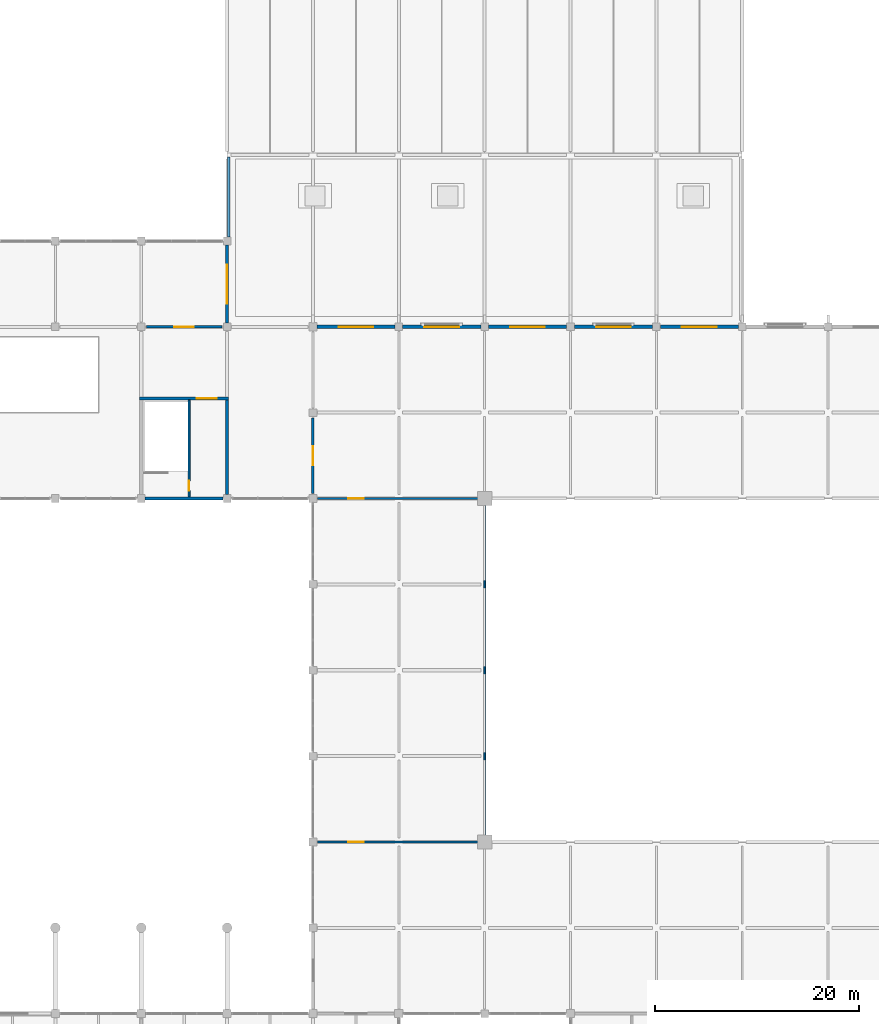
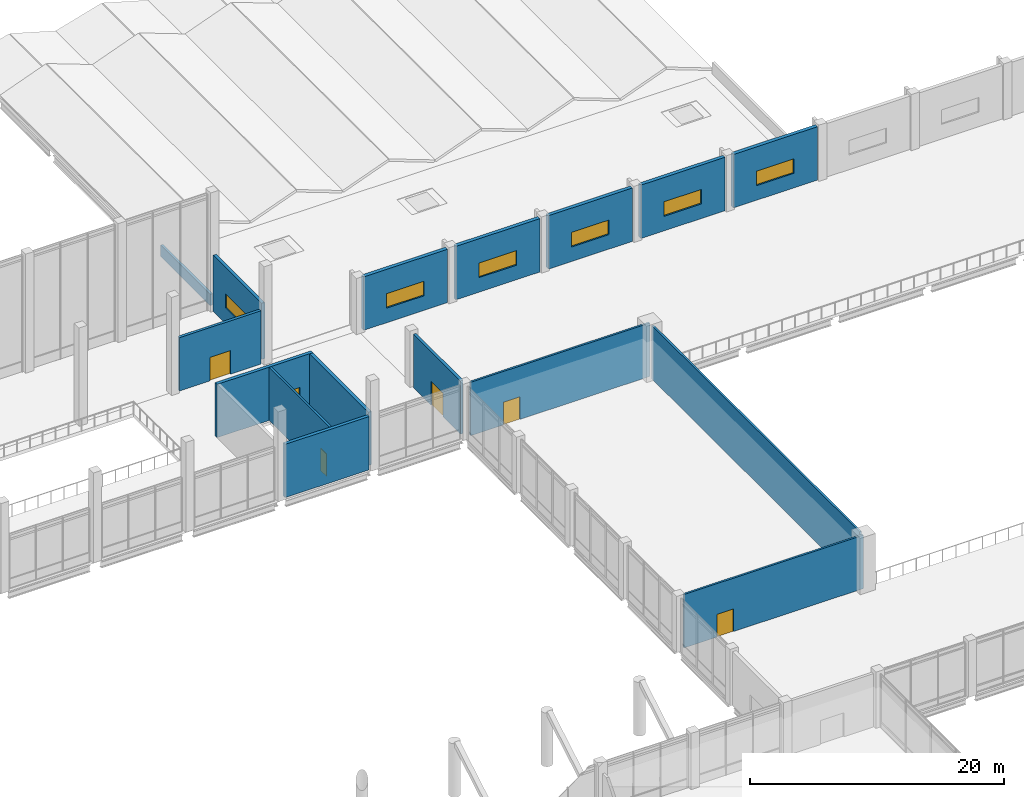
# One storey, part 59 of 72: 16 walls, 6 doors, 6 windows, 12 openings.
"""IFC4 building model written with IfcOpenShell, lengths in metres."""

from ifc_helpers import new_model, si_unit, direction, frame, frame_2d, origin, place, context, subcontext, project, spatial, rectangle, extrude, material, layer, layer_set, type_object, element, fill, save


model = new_model("IFC4")

# Units and contexts
model_context = context("Model", 3, precision=1e-05, world=origin(), true_north=direction((0.0, 1.0)))
body_context = subcontext(model_context, "Body", "Model", "MODEL_VIEW")
ifc_project = project(units=[si_unit("LENGTHUNIT", "METRE"), si_unit("AREAUNIT", "SQUARE_METRE"), si_unit("VOLUMEUNIT", "CUBIC_METRE"), si_unit("PLANEANGLEUNIT", "RADIAN"), si_unit("MASSUNIT", "GRAM", prefix="KILO")], contexts=[model_context])

# Site, building, storey
site_placement = place(None, origin())
site = spatial("IfcSite", under=ifc_project, at=site_placement, CompositionType="ELEMENT")
building_placement = place(site_placement, origin())
building = spatial("IfcBuilding", under=site, at=building_placement, Name="Qawsi Khor Wholesale Market", CompositionType="ELEMENT")
storey_placement = place(building_placement, frame((0.0, 0.0, 6.0)))
storey = spatial("IfcBuildingStorey", under=building, at=storey_placement, Name="L01", CompositionType="ELEMENT", Elevation=6.0)

# Wall, opening, window
ifc_material_1 = material(Name="Concrete C40/50", Category="concrete")
ifc_layer_1 = layer(ifc_material_1, 0.280029296875, Name="Concrete C40/50")
ifc_layer_set_1 = layer_set([ifc_layer_1], Name="Concrete C40/50")
wall_type_1 = type_object("IfcWallType", Name="Clerestory Spandrel Wall 280", PredefinedType="SOLIDWALL", material=ifc_layer_set_1)
wall_1_placement = place(storey_placement, frame((134.39990234375, 117.219970703125, 0.0), z_axis=(0.0, 0.0, 1.0), x_axis=(0.0, -1.0, 0.0)))
wall_1 = element("IfcWall", 1, at=wall_1_placement, inside=storey, type_object=wall_type_1, Name="EW-L01-AUCE", PredefinedType="SOLIDWALL", context=body_context, shape_type="SweptSolid", body=[
    extrude(rectangle(XDim=7.639892578125, YDim=0.280029296875, at=frame_2d((3.81982421875, 0.0))), origin(), (0.0, 0.0, 1.0), 5.39990234375),
])
opening_1_placement = place(wall_1_placement, frame((1.93994140625, 0.0, 1.5)))
opening_1 = element("IfcOpeningElement", 2, at=opening_1_placement, cuts=wall_1, Name="Opening W-16", PredefinedType="OPENING", context=body_context, shape_type="SweptSolid", body=[
    extrude(rectangle(XDim=3.800048828125, YDim=1.35009765625, at=frame_2d((1.89990234375, 0.675048828125))), frame((0.0, 0.14990234375, 0.0), z_axis=(0.0, -1.0, 0.0), x_axis=(1.0, 0.0, 0.0)), (0.0, 0.0, 1.0), 0.300048828125),
])
ifc_material_2 = material(Name="Thermally Broken Aluminium & Low-E Glass", Category="aluminium")
window_type_1 = type_object("IfcWindowType", Name="Win W-16 Auction High Clerestory 3800x1350", PartitioningType="SINGLE_PANEL", PredefinedType="WINDOW", material=ifc_material_2)
window_1_placement = place(opening_1_placement, origin())
window_1 = element("IfcWindow", 3, at=window_1_placement, inside=storey, type_object=window_type_1, Name="Win W-16 Auction High Clerestory 3800x1350 206", OverallHeight=1.35009765625, OverallWidth=3.800048828125, PartitioningType="SINGLE_PANEL", PredefinedType="WINDOW", context=body_context, shape_type="SweptSolid", body=[
    extrude(rectangle(XDim=3.800048828125, YDim=1.35009765625, at=frame_2d((1.89990234375, 0.675048828125))), frame((0.0, 0.030029296875, 0.0), z_axis=(0.0, -1.0, 0.0), x_axis=(1.0, 0.0, 0.0)), (0.0, 0.0, 1.0), 0.06005859375),
])
fill(opening_1, window_1)

# Wall
ifc_layer_2 = layer(ifc_material_1, 0.300048828125, Name="Concrete C40/50")
ifc_layer_set_2 = layer_set([ifc_layer_2], Name="Concrete C40/50")
wall_type_2 = type_object("IfcWallType", Name="Core Shear Wall RC 300 C40/50", PredefinedType="SHEAR", material=ifc_layer_set_2)
wall_2_placement = place(storey_placement, frame((134.02001953125, 92.39990234375, 0.0), z_axis=(0.0, 0.0, 1.0), x_axis=(-1.0, 0.0, 0.0)))
element("IfcWall", 4, at=wall_2_placement, inside=storey, type_object=wall_type_2, Name="Core C10 south shear wall L01", PredefinedType="SHEAR", context=body_context, shape_type="SweptSolid", body=[
    extrude(rectangle(XDim=7.64013671875, YDim=0.300048828125, at=frame_2d((3.820068359375, 0.0))), origin(), (0.0, 0.0, 1.0), 5.1201171875),
])

# Wall, opening, door
wall_3_placement = place(storey_placement, frame((125.85009765625, 102.199951171875, 0.0), z_axis=(0.0, 0.0, 1.0), x_axis=(1.0, 0.0, 0.0)))
wall_3 = element("IfcWall", 5, at=wall_3_placement, inside=storey, type_object=wall_type_2, Name="Core C10 north shear wall L01", PredefinedType="SHEAR", context=body_context, shape_type="SweptSolid", body=[
    extrude(rectangle(XDim=8.699951171875, YDim=0.300048828125, at=frame_2d((4.35009765625, 0.0))), origin(), (0.0, 0.0, 1.0), 5.1201171875),
])
opening_2_placement = place(wall_3_placement, frame((5.570068359375, 0.0, 0.0)))
opening_2 = element("IfcOpeningElement", 6, at=opening_2_placement, cuts=wall_3, Name="Opening ID-01", PredefinedType="OPENING", context=body_context, shape_type="SweptSolid", body=[
    extrude(rectangle(XDim=1.9599609375, YDim=2.199951171875, at=frame_2d((0.97998046875, 1.10009765625))), frame((0.0, 0.159912109375, 0.0), z_axis=(0.0, -1.0, 0.0), x_axis=(1.0, 0.0, 0.0)), (0.0, 0.0, 1.0), 0.320068359375),
])
ifc_material_3 = material(Name="Steel Fire Door", Category="steel")
door_type_1 = type_object("IfcDoorType", Name="Stair & Core Fire Door 1960x2200 FD90S", OperationType="NOTDEFINED", PredefinedType="DOOR", material=ifc_material_3)
door_1_placement = place(opening_2_placement, origin())
door_1 = element("IfcDoor", 7, at=door_1_placement, inside=storey, type_object=door_type_1, Name="Core C10 fire door L01", OperationType="DOUBLE_DOOR_SINGLE_SWING", OverallHeight=2.199951171875, OverallWidth=1.9599609375, PredefinedType="DOOR", context=body_context, shape_type="SweptSolid", body=[
    extrude(rectangle(XDim=1.9599609375, YDim=2.199951171875, at=frame_2d((0.97998046875, 1.10009765625))), frame((0.0, 0.02490234375, 0.0), z_axis=(0.0, -1.0, 0.0), x_axis=(1.0, 0.0, 0.0)), (0.0, 0.0, 1.0), 0.050048828125),
])
fill(opening_2, door_1)

# Wall
wall_4_placement = place(storey_placement, frame((134.39990234375, 102.050048828125, 0.0), z_axis=(0.0, 0.0, 1.0), x_axis=(0.0, -1.0, 0.0)))
element("IfcWall", 8, at=wall_4_placement, inside=storey, type_object=wall_type_2, Name="Core C10 east shear wall L01", PredefinedType="SHEAR", context=body_context, shape_type="SweptSolid", body=[
    extrude(rectangle(XDim=9.27001953125, YDim=0.300048828125, at=frame_2d((4.635009765625, 0.0))), origin(), (0.0, 0.0, 1.0), 5.1201171875),
])

# Wall, opening, door
ifc_material_4 = material(Name="Concrete Blockwork & Plaster", Category="masonry")
ifc_layer_3 = layer(ifc_material_4, 0.25, Name="Concrete Blockwork & Plaster")
ifc_layer_set_3 = layer_set([ifc_layer_3], Name="Concrete Blockwork & Plaster")
wall_type_3 = type_object("IfcWallType", Name="Fire Compartment Masonry Wall 250", PredefinedType="SOLIDWALL", material=ifc_layer_set_3)
wall_5_placement = place(storey_placement, frame((142.800048828125, 92.89990234375, 0.0), z_axis=(0.0, 0.0, 1.0), x_axis=(0.0, 1.0, 0.0)))
wall_5 = element("IfcWall", 9, at=wall_5_placement, inside=storey, type_object=wall_type_3, Name="PW-L01-027", PredefinedType="SOLIDWALL", context=body_context, shape_type="SweptSolid", body=[
    extrude(rectangle(XDim=7.400146484375, YDim=0.25, at=frame_2d((3.7001953125, 0.0))), origin(), (0.0, 0.0, 1.0), 5.1201171875),
])
opening_3_placement = place(wall_5_placement, frame((2.75, 0.0, 0.0)))
opening_3 = element("IfcOpeningElement", 10, at=opening_3_placement, cuts=wall_5, Name="Opening ID-16", PredefinedType="OPENING", context=body_context, shape_type="SweptSolid", body=[
    extrude(rectangle(XDim=1.8798828125, YDim=2.260009765625, at=frame_2d((0.93994140625, 1.1298828125))), frame((0.0, 0.135009765625, 0.0), z_axis=(0.0, -1.0, 0.0), x_axis=(1.0, 0.0, 0.0)), (0.0, 0.0, 1.0), 0.27001953125),
])
ifc_material_5 = material(Name="Acoustic Timber Fire Door", Category="wood")
door_type_2 = type_object("IfcDoorType", Name="Auction Buyers Tier Double Door 1880x2260 FD60S", OperationType="NOTDEFINED", PredefinedType="DOOR", material=ifc_material_5)
door_2_placement = place(opening_3_placement, origin())
door_2 = element("IfcDoor", 11, at=door_2_placement, inside=storey, type_object=door_type_2, Name="Auction Buyers Tier Double Door 1880x2260 FD60S L01-022", OperationType="DOUBLE_DOOR_SINGLE_SWING", OverallHeight=2.260009765625, OverallWidth=1.8798828125, PredefinedType="DOOR", context=body_context, shape_type="SweptSolid", body=[
    extrude(rectangle(XDim=1.8798828125, YDim=2.260009765625, at=frame_2d((0.93994140625, 1.1298828125))), frame((0.0, 0.02490234375, 0.0), z_axis=(0.0, -1.0, 0.0), x_axis=(1.0, 0.0, 0.0)), (0.0, 0.0, 1.0), 0.050048828125),
])
fill(opening_3, door_2)

wall_6_placement = place(storey_placement, frame((126.5, 109.199951171875, 0.0), z_axis=(0.0, 0.0, 1.0), x_axis=(1.0, 0.0, 0.0)))
wall_6 = element("IfcWall", 12, at=wall_6_placement, inside=storey, type_object=wall_type_3, Name="PW-L01-028", PredefinedType="SOLIDWALL", context=body_context, shape_type="SweptSolid", body=[
    extrude(rectangle(XDim=7.39990234375, YDim=0.25, at=frame_2d((3.699951171875, 0.0))), origin(), (0.0, 0.0, 1.0), 5.1201171875),
])
opening_4_placement = place(wall_6_placement, frame((2.75, 0.0, 0.0)))
opening_4 = element("IfcOpeningElement", 13, at=opening_4_placement, cuts=wall_6, Name="Opening ID-16", PredefinedType="OPENING", context=body_context, shape_type="SweptSolid", body=[
    extrude(rectangle(XDim=1.8798828125, YDim=2.260009765625, at=frame_2d((0.93994140625, 1.1298828125))), frame((0.0, 0.135009765625, 0.0), z_axis=(0.0, -1.0, 0.0), x_axis=(1.0, 0.0, 0.0)), (0.0, 0.0, 1.0), 0.27001953125),
])
door_3_placement = place(opening_4_placement, origin())
door_3 = element("IfcDoor", 14, at=door_3_placement, inside=storey, type_object=door_type_2, Name="Auction Buyers Tier Double Door 1880x2260 FD60S L01-023", OperationType="DOUBLE_DOOR_SINGLE_SWING", OverallHeight=2.260009765625, OverallWidth=1.8798828125, PredefinedType="DOOR", context=body_context, shape_type="SweptSolid", body=[
    extrude(rectangle(XDim=1.8798828125, YDim=2.260009765625, at=frame_2d((0.93994140625, 1.1298828125))), frame((0.0, 0.02490234375, 0.0), z_axis=(0.0, -1.0, 0.0), x_axis=(1.0, 0.0, 0.0)), (0.0, 0.0, 1.0), 0.050048828125),
])
fill(opening_4, door_3)

# Wall, opening, window
ifc_layer_4 = layer(ifc_material_1, 0.330078125, Name="Concrete C40/50")
ifc_layer_set_4 = layer_set([ifc_layer_4], Name="Concrete C40/50")
wall_type_4 = type_object("IfcWallType", Name="Fish Hall Precast Insulated Wall 330", PredefinedType="SOLIDWALL", material=ifc_layer_set_4)
wall_7_placement = place(storey_placement, frame((143.205078125, 109.199951171875, 0.0), z_axis=(0.0, 0.0, 1.0), x_axis=(1.0, 0.0, 0.0)))
wall_7 = element("IfcWall", 15, at=wall_7_placement, inside=storey, type_object=wall_type_4, Name="EW-L01-EHN-17", PredefinedType="SOLIDWALL", context=body_context, shape_type="SweptSolid", body=[
    extrude(rectangle(XDim=7.614990234375, YDim=0.330078125, at=frame_2d((3.8076171875, 0.0))), origin(), (0.0, 0.0, 1.0), 5.1298828125),
])
opening_5_placement = place(wall_7_placement, frame((2.094970703125, 0.0, 1.39990234375)))
opening_5 = element("IfcOpeningElement", 16, at=opening_5_placement, cuts=wall_7, Name="Opening W-14", PredefinedType="OPENING", context=body_context, shape_type="SweptSolid", body=[
    extrude(rectangle(XDim=3.39990234375, YDim=1.39990234375, at=frame_2d((1.699951171875, 0.699951171875))), frame((0.0, 0.175048828125, 0.0), z_axis=(0.0, -1.0, 0.0), x_axis=(1.0, 0.0, 0.0)), (0.0, 0.0, 1.0), 0.35009765625),
])
window_type_2 = type_object("IfcWindowType", Name="Win W-14 Flower Hall North Light 3400x1400", PartitioningType="SINGLE_PANEL", PredefinedType="WINDOW", material=ifc_material_2)
window_2_placement = place(opening_5_placement, origin())
window_2 = element("IfcWindow", 17, at=window_2_placement, inside=storey, type_object=window_type_2, Name="Win W-14 Flower Hall North Light 3400x1400 192", OverallHeight=1.39990234375, OverallWidth=3.39990234375, PartitioningType="SINGLE_PANEL", PredefinedType="WINDOW", context=body_context, shape_type="SweptSolid", body=[
    extrude(rectangle(XDim=3.39990234375, YDim=1.39990234375, at=frame_2d((1.699951171875, 0.699951171875))), frame((0.0, 0.030029296875, 0.0), z_axis=(0.0, -1.0, 0.0), x_axis=(1.0, 0.0, 0.0)), (0.0, 0.0, 1.0), 0.06005859375),
])
fill(opening_5, window_2)

wall_8_placement = place(storey_placement, frame((151.580078125, 109.199951171875, 0.0), z_axis=(0.0, 0.0, 1.0), x_axis=(1.0, 0.0, 0.0)))
wall_8 = element("IfcWall", 18, at=wall_8_placement, inside=storey, type_object=wall_type_4, Name="EW-L01-EHN-18", PredefinedType="SOLIDWALL", context=body_context, shape_type="SweptSolid", body=[
    extrude(rectangle(XDim=7.639892578125, YDim=0.330078125, at=frame_2d((3.81982421875, 0.0))), origin(), (0.0, 0.0, 1.0), 5.1298828125),
])
opening_6_placement = place(wall_8_placement, frame((2.1201171875, 0.0, 1.39990234375)))
opening_6 = element("IfcOpeningElement", 19, at=opening_6_placement, cuts=wall_8, Name="Opening W-14", PredefinedType="OPENING", context=body_context, shape_type="SweptSolid", body=[
    extrude(rectangle(XDim=3.39990234375, YDim=1.39990234375, at=frame_2d((1.699951171875, 0.699951171875))), frame((0.0, 0.175048828125, 0.0), z_axis=(0.0, -1.0, 0.0), x_axis=(1.0, 0.0, 0.0)), (0.0, 0.0, 1.0), 0.35009765625),
])
window_3_placement = place(opening_6_placement, origin())
window_3 = element("IfcWindow", 20, at=window_3_placement, inside=storey, type_object=window_type_2, Name="Win W-14 Flower Hall North Light 3400x1400 193", OverallHeight=1.39990234375, OverallWidth=3.39990234375, PartitioningType="SINGLE_PANEL", PredefinedType="WINDOW", context=body_context, shape_type="SweptSolid", body=[
    extrude(rectangle(XDim=3.39990234375, YDim=1.39990234375, at=frame_2d((1.699951171875, 0.699951171875))), frame((0.0, 0.030029296875, 0.0), z_axis=(0.0, -1.0, 0.0), x_axis=(1.0, 0.0, 0.0)), (0.0, 0.0, 1.0), 0.06005859375),
])
fill(opening_6, window_3)

wall_9_placement = place(storey_placement, frame((159.97998046875, 109.199951171875, 0.0), z_axis=(0.0, 0.0, 1.0), x_axis=(1.0, 0.0, 0.0)))
wall_9 = element("IfcWall", 21, at=wall_9_placement, inside=storey, type_object=wall_type_4, Name="EW-L01-EHN-19", PredefinedType="SOLIDWALL", context=body_context, shape_type="SweptSolid", body=[
    extrude(rectangle(XDim=7.64013671875, YDim=0.330078125, at=frame_2d((3.820068359375, 0.0))), origin(), (0.0, 0.0, 1.0), 5.1298828125),
])
opening_7_placement = place(wall_9_placement, frame((2.1201171875, 0.0, 1.39990234375)))
opening_7 = element("IfcOpeningElement", 22, at=opening_7_placement, cuts=wall_9, Name="Opening W-14", PredefinedType="OPENING", context=body_context, shape_type="SweptSolid", body=[
    extrude(rectangle(XDim=3.39990234375, YDim=1.39990234375, at=frame_2d((1.699951171875, 0.699951171875))), frame((0.0, 0.175048828125, 0.0), z_axis=(0.0, -1.0, 0.0), x_axis=(1.0, 0.0, 0.0)), (0.0, 0.0, 1.0), 0.35009765625),
])
window_4_placement = place(opening_7_placement, origin())
window_4 = element("IfcWindow", 23, at=window_4_placement, inside=storey, type_object=window_type_2, Name="Win W-14 Flower Hall North Light 3400x1400 194", OverallHeight=1.39990234375, OverallWidth=3.39990234375, PartitioningType="SINGLE_PANEL", PredefinedType="WINDOW", context=body_context, shape_type="SweptSolid", body=[
    extrude(rectangle(XDim=3.39990234375, YDim=1.39990234375, at=frame_2d((1.699951171875, 0.699951171875))), frame((0.0, 0.030029296875, 0.0), z_axis=(0.0, -1.0, 0.0), x_axis=(1.0, 0.0, 0.0)), (0.0, 0.0, 1.0), 0.06005859375),
])
fill(opening_7, window_4)

wall_10_placement = place(storey_placement, frame((168.3798828125, 109.199951171875, 0.0), z_axis=(0.0, 0.0, 1.0), x_axis=(1.0, 0.0, 0.0)))
wall_10 = element("IfcWall", 24, at=wall_10_placement, inside=storey, type_object=wall_type_4, Name="EW-L01-EHN-20", PredefinedType="SOLIDWALL", context=body_context, shape_type="SweptSolid", body=[
    extrude(rectangle(XDim=7.64013671875, YDim=0.330078125, at=frame_2d((3.820068359375, 0.0))), origin(), (0.0, 0.0, 1.0), 5.1298828125),
])
opening_8_placement = place(wall_10_placement, frame((2.1201171875, 0.0, 1.39990234375)))
opening_8 = element("IfcOpeningElement", 25, at=opening_8_placement, cuts=wall_10, Name="Opening W-14", PredefinedType="OPENING", context=body_context, shape_type="SweptSolid", body=[
    extrude(rectangle(XDim=3.39990234375, YDim=1.39990234375, at=frame_2d((1.699951171875, 0.699951171875))), frame((0.0, 0.175048828125, 0.0), z_axis=(0.0, -1.0, 0.0), x_axis=(1.0, 0.0, 0.0)), (0.0, 0.0, 1.0), 0.35009765625),
])
window_5_placement = place(opening_8_placement, origin())
window_5 = element("IfcWindow", 26, at=window_5_placement, inside=storey, type_object=window_type_2, Name="Win W-14 Flower Hall North Light 3400x1400 195", OverallHeight=1.39990234375, OverallWidth=3.39990234375, PartitioningType="SINGLE_PANEL", PredefinedType="WINDOW", context=body_context, shape_type="SweptSolid", body=[
    extrude(rectangle(XDim=3.39990234375, YDim=1.39990234375, at=frame_2d((1.699951171875, 0.699951171875))), frame((0.0, 0.030029296875, 0.0), z_axis=(0.0, -1.0, 0.0), x_axis=(1.0, 0.0, 0.0)), (0.0, 0.0, 1.0), 0.06005859375),
])
fill(opening_8, window_5)

wall_11_placement = place(storey_placement, frame((176.780029296875, 109.199951171875, 0.0), z_axis=(0.0, 0.0, 1.0), x_axis=(1.0, 0.0, 0.0)))
wall_11 = element("IfcWall", 27, at=wall_11_placement, inside=storey, type_object=wall_type_4, Name="EW-L01-EHN-21", PredefinedType="SOLIDWALL", context=body_context, shape_type="SweptSolid", body=[
    extrude(rectangle(XDim=7.639892578125, YDim=0.330078125, at=frame_2d((3.81982421875, 0.0))), origin(), (0.0, 0.0, 1.0), 5.1298828125),
])
opening_9_placement = place(wall_11_placement, frame((2.1201171875, 0.0, 1.39990234375)))
opening_9 = element("IfcOpeningElement", 28, at=opening_9_placement, cuts=wall_11, Name="Opening W-14", PredefinedType="OPENING", context=body_context, shape_type="SweptSolid", body=[
    extrude(rectangle(XDim=3.39990234375, YDim=1.39990234375, at=frame_2d((1.699951171875, 0.699951171875))), frame((0.0, 0.175048828125, 0.0), z_axis=(0.0, -1.0, 0.0), x_axis=(1.0, 0.0, 0.0)), (0.0, 0.0, 1.0), 0.35009765625),
])
window_6_placement = place(opening_9_placement, origin())
window_6 = element("IfcWindow", 29, at=window_6_placement, inside=storey, type_object=window_type_2, Name="Win W-14 Flower Hall North Light 3400x1400 196", OverallHeight=1.39990234375, OverallWidth=3.39990234375, PartitioningType="SINGLE_PANEL", PredefinedType="WINDOW", context=body_context, shape_type="SweptSolid", body=[
    extrude(rectangle(XDim=3.39990234375, YDim=1.39990234375, at=frame_2d((1.699951171875, 0.699951171875))), frame((0.0, 0.030029296875, 0.0), z_axis=(0.0, -1.0, 0.0), x_axis=(1.0, 0.0, 0.0)), (0.0, 0.0, 1.0), 0.06005859375),
])
fill(opening_9, window_6)

# Wall, opening, door
ifc_material_6 = material(Name="Acoustic Gypsum & Mineral Wool", Category="gypsum")
ifc_layer_5 = layer(ifc_material_6, 0.179931640625, Name="Acoustic Gypsum & Mineral Wool")
ifc_layer_set_5 = layer_set([ifc_layer_5], Name="Acoustic Gypsum & Mineral Wool")
wall_type_5 = type_object("IfcWallType", Name="Laboratory Acoustic Partition 180", PredefinedType="PARTITIONING", material=ifc_layer_set_5)
wall_12_placement = place(storey_placement, frame((143.25, 58.800048828125, 0.0), z_axis=(0.0, 0.0, 1.0), x_axis=(1.0, 0.0, 0.0)))
wall_12 = element("IfcWall", 30, at=wall_12_placement, inside=storey, type_object=wall_type_5, Name="PW-L01-122", PredefinedType="PARTITIONING", context=body_context, shape_type="SweptSolid", body=[
    extrude(rectangle(XDim=16.300048828125, YDim=0.179931640625, at=frame_2d((8.14990234375, 0.0))), origin(), (0.0, 0.0, 1.0), 5.1298828125),
])
opening_10_placement = place(wall_12_placement, frame((2.989990234375, 0.0, 0.0)))
opening_10 = element("IfcOpeningElement", 31, at=opening_10_placement, cuts=wall_12, Name="Opening ID-08", PredefinedType="OPENING", context=body_context, shape_type="SweptSolid", body=[
    extrude(rectangle(XDim=1.52001953125, YDim=2.179931640625, at=frame_2d((0.760009765625, 1.08984375))), frame((0.0, 0.099853515625, 0.0), z_axis=(0.0, -1.0, 0.0), x_axis=(1.0, 0.0, 0.0)), (0.0, 0.0, 1.0), 0.199951171875),
])
ifc_material_7 = material(Name="Powder-Coated Steel", Category="steel")
door_type_3 = type_object("IfcDoorType", Name="Laboratory Double Leaf Door 1520x2180 FD60S", OperationType="NOTDEFINED", PredefinedType="DOOR", material=ifc_material_7)
door_4_placement = place(opening_10_placement, origin())
door_4 = element("IfcDoor", 32, at=door_4_placement, inside=storey, type_object=door_type_3, Name="Laboratory Double Leaf Door 1520x2180 FD60S L01-131", OperationType="DOUBLE_DOOR_SINGLE_SWING", OverallHeight=2.179931640625, OverallWidth=1.52001953125, PredefinedType="DOOR", context=body_context, shape_type="SweptSolid", body=[
    extrude(rectangle(XDim=1.52001953125, YDim=2.179931640625, at=frame_2d((0.760009765625, 1.08984375))), frame((0.0, 0.02490234375, 0.0), z_axis=(0.0, -1.0, 0.0), x_axis=(1.0, 0.0, 0.0)), (0.0, 0.0, 1.0), 0.050048828125),
])
fill(opening_10, door_4)

wall_13_placement = place(storey_placement, frame((143.25, 92.39990234375, 0.0), z_axis=(0.0, 0.0, 1.0), x_axis=(1.0, 0.0, 0.0)))
wall_13 = element("IfcWall", 33, at=wall_13_placement, inside=storey, type_object=wall_type_5, Name="PW-L01-123", PredefinedType="PARTITIONING", context=body_context, shape_type="SweptSolid", body=[
    extrude(rectangle(XDim=16.300048828125, YDim=0.179931640625, at=frame_2d((8.14990234375, 0.0))), origin(), (0.0, 0.0, 1.0), 5.1298828125),
])
opening_11_placement = place(wall_13_placement, frame((2.989990234375, 0.0, 0.0)))
opening_11 = element("IfcOpeningElement", 34, at=opening_11_placement, cuts=wall_13, Name="Opening ID-08", PredefinedType="OPENING", context=body_context, shape_type="SweptSolid", body=[
    extrude(rectangle(XDim=1.52001953125, YDim=2.179931640625, at=frame_2d((0.760009765625, 1.08984375))), frame((0.0, 0.099853515625, 0.0), z_axis=(0.0, -1.0, 0.0), x_axis=(1.0, 0.0, 0.0)), (0.0, 0.0, 1.0), 0.199951171875),
])
door_5_placement = place(opening_11_placement, origin())
door_5 = element("IfcDoor", 35, at=door_5_placement, inside=storey, type_object=door_type_3, Name="Laboratory Double Leaf Door 1520x2180 FD60S L01-132", OperationType="DOUBLE_DOOR_SINGLE_SWING", OverallHeight=2.179931640625, OverallWidth=1.52001953125, PredefinedType="DOOR", context=body_context, shape_type="SweptSolid", body=[
    extrude(rectangle(XDim=1.52001953125, YDim=2.179931640625, at=frame_2d((0.760009765625, 1.08984375))), frame((0.0, 0.02490234375, 0.0), z_axis=(0.0, -1.0, 0.0), x_axis=(1.0, 0.0, 0.0)), (0.0, 0.0, 1.0), 0.050048828125),
])
fill(opening_11, door_5)

# Walls
wall_14_placement = place(storey_placement, frame((159.60009765625, 59.25, 0.0), z_axis=(0.0, 0.0, 1.0), x_axis=(0.0, 1.0, 0.0)))
element("IfcWall", 36, at=wall_14_placement, inside=storey, type_object=wall_type_5, Name="PW-L01-124", PredefinedType="PARTITIONING", context=body_context, shape_type="SweptSolid", body=[
    extrude(rectangle(XDim=32.699951171875, YDim=0.179931640625, at=frame_2d((16.35009765625, 0.0))), origin(), (0.0, 0.0, 1.0), 5.1298828125),
])
ifc_layer_6 = layer(ifc_material_1, 0.22998046875, Name="Concrete C40/50")
ifc_layer_set_6 = layer_set([ifc_layer_6], Name="Concrete C40/50")
wall_type_6 = type_object("IfcWallType", Name="Roof Parapet Upstand Wall 230", PredefinedType="PARAPET", material=ifc_layer_set_6)
wall_15_placement = place(storey_placement, frame((134.550048828125, 118.0, 0.0), z_axis=(0.0, 0.0, 1.0), x_axis=(0.0, 1.0, 0.0)))
element("IfcWall", 37, at=wall_15_placement, inside=storey, type_object=wall_type_6, Name="Roof parapet PRP-L01-NEC-W", PredefinedType="PARAPET", context=body_context, shape_type="SweptSolid", body=[
    extrude(rectangle(XDim=7.800048828125, YDim=0.22998046875, at=frame_2d((3.89990234375, 0.0))), origin(), (0.0, 0.0, 1.0), 1.10009765625),
])

# Wall, opening, door
ifc_layer_7 = layer(ifc_material_1, 0.18994140625, Name="Concrete C40/50")
ifc_layer_set_7 = layer_set([ifc_layer_7], Name="Concrete C40/50")
wall_type_7 = type_object("IfcWallType", Name="Stairwell Enclosure Wall RC 190", PredefinedType="SOLIDWALL", material=ifc_layer_set_7)
wall_16_placement = place(storey_placement, frame((130.679931640625, 92.56005859375, 0.0), z_axis=(0.0, 0.0, 1.0), x_axis=(0.0, 1.0, 0.0)))
wall_16 = element("IfcWall", 38, at=wall_16_placement, inside=storey, type_object=wall_type_7, Name="Core C10 stairwell enclosure wall L01", PredefinedType="SOLIDWALL", context=body_context, shape_type="SweptSolid", body=[
    extrude(rectangle(XDim=9.47998046875, YDim=0.18994140625, at=frame_2d((4.739990234375, 0.0))), origin(), (0.0, 0.0, 1.0), 5.1201171875),
])
opening_12_placement = place(wall_16_placement, frame((0.580078125, 0.0, 0.0)))
opening_12 = element("IfcOpeningElement", 39, at=opening_12_placement, cuts=wall_16, Name="Opening ID-17", PredefinedType="OPENING", context=body_context, shape_type="SweptSolid", body=[
    extrude(rectangle(XDim=0.97998046875, YDim=2.14990234375, at=frame_2d((0.489990234375, 1.074951171875))), frame((0.0, 0.10498046875, 0.0), z_axis=(0.0, -1.0, 0.0), x_axis=(1.0, 0.0, 0.0)), (0.0, 0.0, 1.0), 0.2099609375),
])
door_type_4 = type_object("IfcDoorType", Name="Core Stair Lobby Fire Door 980x2150 FD120S", OperationType="NOTDEFINED", PredefinedType="DOOR", material=ifc_material_3)
door_6_placement = place(opening_12_placement, origin())
door_6 = element("IfcDoor", 40, at=door_6_placement, inside=storey, type_object=door_type_4, Name="Core C10 stair enclosure fire door L01", OperationType="SINGLE_SWING_LEFT", OverallHeight=2.14990234375, OverallWidth=0.97998046875, PredefinedType="DOOR", context=body_context, shape_type="SweptSolid", body=[
    extrude(rectangle(XDim=0.97998046875, YDim=2.14990234375, at=frame_2d((0.489990234375, 1.074951171875))), frame((0.0, 0.02490234375, 0.0), z_axis=(0.0, -1.0, 0.0), x_axis=(1.0, 0.0, 0.0)), (0.0, 0.0, 1.0), 0.050048828125),
])
fill(opening_12, door_6)

save(model, "model.ifc")
